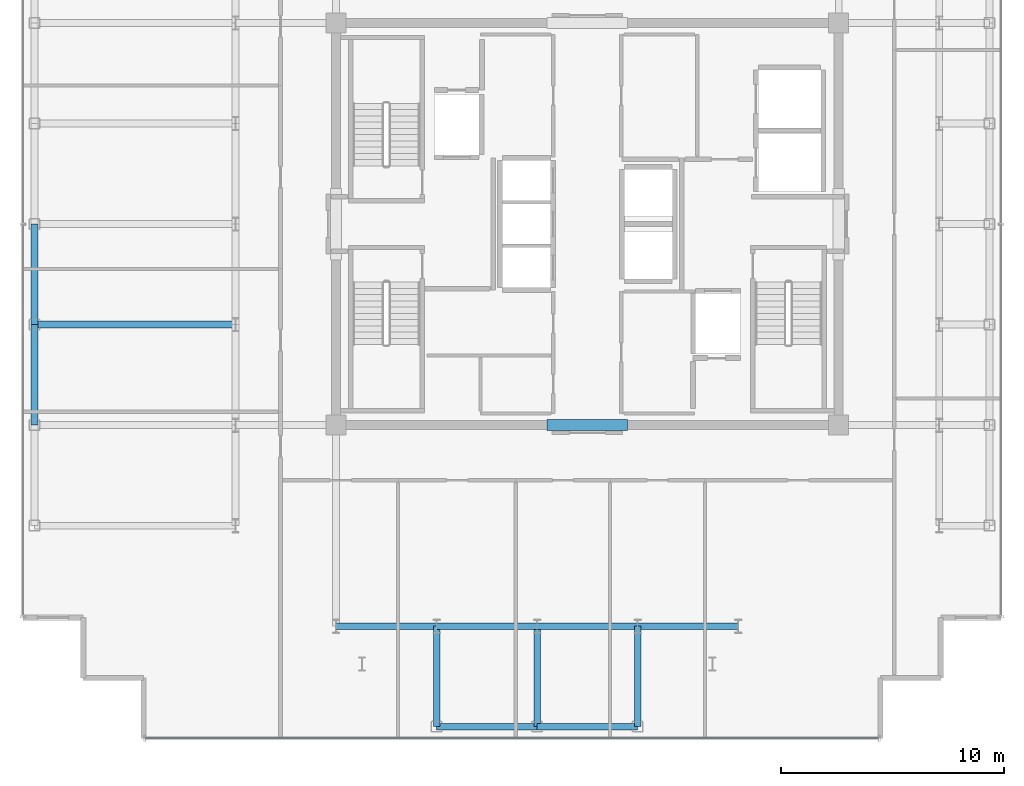
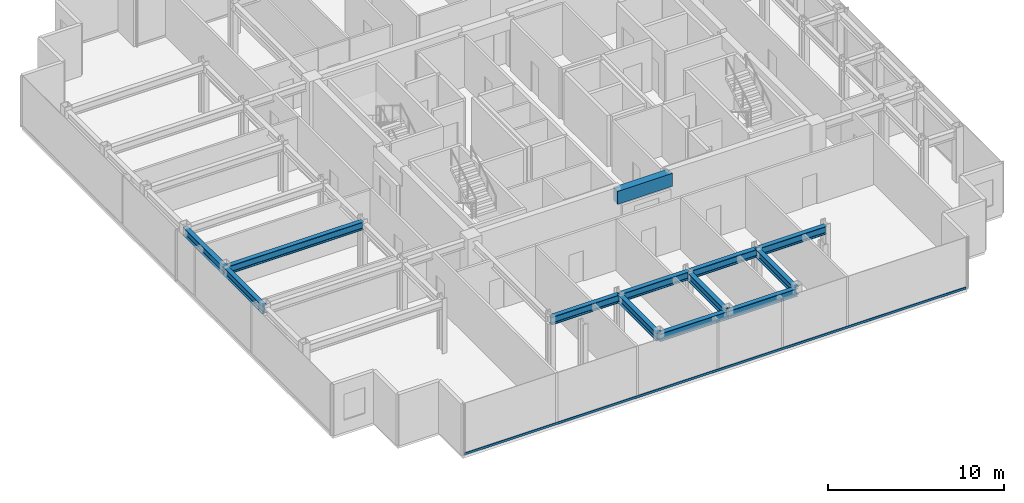
# One storey, part 3 of 18: 13 beams, 1 member, 1 element without a shape of its own.
"""IFC4 building model written with IfcOpenShell, lengths in metres."""

from ifc_helpers import new_model, si_unit, direction, frame, origin, origin_2d, place, context, subcontext, project, spatial, rectangle, hollow_rectangle, i_section, extrude, source, transform, mapped, material, layer, layer_set, material_profile, profile_set, type_object, element, aggregate, save


model = new_model("IFC4")

# Units and contexts
model_context = context("Model", 3, precision=1e-05, world=origin(), true_north=direction((0.0, 1.0)))
body_context = subcontext(model_context, "Body", "Model", "MODEL_VIEW")
ifc_project = project(units=[si_unit("LENGTHUNIT", "METRE"), si_unit("AREAUNIT", "SQUARE_METRE"), si_unit("VOLUMEUNIT", "CUBIC_METRE"), si_unit("PLANEANGLEUNIT", "RADIAN"), si_unit("MASSUNIT", "GRAM", prefix="KILO")], contexts=[model_context])

# Site, building, storey
site_placement = place(None, origin())
site = spatial("IfcSite", under=ifc_project, at=site_placement, CompositionType="ELEMENT")
building_placement = place(site_placement, origin())
building = spatial("IfcBuilding", under=site, at=building_placement, Name="Nefas-Gora Pilgrimage Tower", CompositionType="ELEMENT")
storey_placement = place(building_placement, frame((0.0, 0.0, 326.199951171875)))
storey = spatial("IfcBuildingStorey", under=building, at=storey_placement, Name="L82", CompositionType="ELEMENT", Elevation=326.199951171875)

# Beams
ifc_material_1 = material(Name="Concrete C50/60", Category="concrete")
ifc_material_profile_1 = material_profile(ifc_material_1, rectangle(XDim=0.5, YDim=0.89990234375, at=origin_2d()), Name="RC 500x900")
ifc_profile_set_1 = profile_set([ifc_material_profile_1], Name="Concrete C50/60")
beam_type_1 = type_object("IfcBeamType", Name="BM-LIN-RC900", PredefinedType="LINTEL", material=ifc_profile_set_1)
shared_shape_1 = source(origin(), body_context, "Body", "SweptSolid", [
    extrude(rectangle(XDim=0.5, YDim=0.89990234375, at=origin_2d()), origin(), (0.0, 0.0, 1.0), 3.60009765625),
])
beam_1_placement = place(storey_placement, frame((-1.800048828125, -9.0, 3.10009765625), z_axis=(1.0, 0.0, 0.0), x_axis=(0.0, 1.0, 0.0)))
element("IfcBeam", 1, at=beam_1_placement, inside=storey, type_object=beam_type_1, Name="L82 Core Coupling Lintel Beam S", PredefinedType="LINTEL", context=body_context, shape_type="MappedRepresentation", body=[
    mapped(shared_shape_1, transform((0.0, 0.0, 0.0), x_axis=(1.0, 0.0, 0.0), y_axis=(0.0, 1.0, 0.0), z_axis=(0.0, 0.0, 1.0), scale=1.0)),
])
ifc_material_2 = material(Name="Steel S355", Category="steel")
ifc_material_profile_2 = material_profile(ifc_material_2, i_section(OverallWidth=0.300048828125, OverallDepth=0.550048828125, WebThickness=0.014892578125, FlangeThickness=0.029052734375, FilletRadius=0.027099609375, at=origin_2d()), Name="HEB 550")
ifc_profile_set_2 = profile_set([ifc_material_profile_2], Name="Steel S355")
beam_type_2 = type_object("IfcBeamType", Name="BM-SPN-HEB400", PredefinedType="SPANDREL", material=ifc_profile_set_2)
shared_shape_2 = source(origin(), body_context, "Body", "SweptSolid", [
    extrude(i_section(OverallWidth=0.300048828125, OverallDepth=0.550048828125, WebThickness=0.014892578125, FlangeThickness=0.029052734375, FilletRadius=0.027099609375, at=origin_2d()), origin(), (0.0, 0.0, 1.0), 4.5),
])
for number, where, z_axis, x_axis, name in (
    (2, (-24.75, -9.0, 3.275146484375), (0.0, 1.0, 0.0), (-1.0, 0.0, 0.0), "L82 SP-04 beam"),
    (3, (-24.75, -4.5, 3.275146484375), (0.0, 1.0, 0.0), (-1.0, 0.0, 0.0), "L82 SP-04 beam"),
    (4, (-6.75, -22.5, 3.275146484375), (1.0, 0.0, 0.0), (0.0, 1.0, 0.0), "L82 SP-04 beam"),
    (5, (-2.25, -22.5, 3.275146484375), (1.0, 0.0, 0.0), (0.0, 1.0, 0.0), "L82 SP-04 beam"),
):
    element("IfcBeam", number, at=place(storey_placement, frame(where, z_axis=z_axis, x_axis=x_axis)), inside=storey, type_object=beam_type_2, Name=name, PredefinedType="SPANDREL", context=body_context, shape_type="MappedRepresentation", body=[
        mapped(shared_shape_2, transform((0.0, 0.0, 0.0), x_axis=(1.0, 0.0, 0.0), y_axis=(0.0, 1.0, 0.0), z_axis=(0.0, 0.0, 1.0), scale=1.0)),
    ])
ifc_material_profile_3 = material_profile(ifc_material_2, i_section(OverallWidth=0.300048828125, OverallDepth=0.550048828125, WebThickness=0.014892578125, FlangeThickness=0.029052734375, FilletRadius=0.027099609375, at=origin_2d()), Name="HEB 550")
ifc_profile_set_3 = profile_set([ifc_material_profile_3], Name="Steel S355")
beam_type_3 = type_object("IfcBeamType", Name="BM-GIR-HEB550", PredefinedType="BEAM", material=ifc_profile_set_3)
shared_shape_3 = source(origin(), body_context, "Body", "SweptSolid", [
    extrude(i_section(OverallWidth=0.300048828125, OverallDepth=0.550048828125, WebThickness=0.014892578125, FlangeThickness=0.029052734375, FilletRadius=0.027099609375, at=origin_2d()), origin(), (0.0, 0.0, 1.0), 9.0),
])
beam_2_placement = place(storey_placement, frame((-24.75, -4.5, 3.275146484375), z_axis=(1.0, 0.0, 0.0), x_axis=(0.0, 1.0, 0.0)))
element("IfcBeam", 6, at=beam_2_placement, inside=storey, type_object=beam_type_3, Name="L82 G-05 beam", PredefinedType="BEAM", context=body_context, shape_type="MappedRepresentation", body=[
    mapped(shared_shape_3, transform((0.0, 0.0, 0.0), x_axis=(1.0, 0.0, 0.0), y_axis=(0.0, 1.0, 0.0), z_axis=(0.0, 0.0, 1.0), scale=1.0)),
])
shared_shape_4 = source(origin(), body_context, "Body", "SweptSolid", [
    extrude(i_section(OverallWidth=0.300048828125, OverallDepth=0.550048828125, WebThickness=0.014892578125, FlangeThickness=0.029052734375, FilletRadius=0.027099609375, at=origin_2d()), origin(), (0.0, 0.0, 1.0), 4.5),
])
for number, where, z_axis, x_axis, name in (
    (7, (-11.25, -18.0, 3.275146484375), (1.0, 0.0, 0.0), (0.0, 1.0, 0.0), "L82 G-05 beam"),
    (8, (-6.75, -22.5, 3.275146484375), (0.0, 1.0, 0.0), (-1.0, 0.0, 0.0), "L82 G-05 beam"),
    (9, (-6.75, -18.0, 3.275146484375), (1.0, 0.0, 0.0), (0.0, 1.0, 0.0), "L82 G-05 beam"),
    (10, (-2.25, -22.5, 3.275146484375), (0.0, 1.0, 0.0), (-1.0, 0.0, 0.0), "L82 G-05 beam"),
    (11, (-2.25, -18.0, 3.275146484375), (1.0, 0.0, 0.0), (0.0, 1.0, 0.0), "L82 G-05 beam"),
    (12, (2.25, -22.5, 3.275146484375), (0.0, 1.0, 0.0), (-1.0, 0.0, 0.0), "L82 G-05 beam"),
    (13, (2.25, -18.0, 3.275146484375), (1.0, 0.0, 0.0), (0.0, 1.0, 0.0), "L82 G-05 beam"),
):
    element("IfcBeam", number, at=place(storey_placement, frame(where, z_axis=z_axis, x_axis=x_axis)), inside=storey, type_object=beam_type_3, Name=name, PredefinedType="BEAM", context=body_context, shape_type="MappedRepresentation", body=[
        mapped(shared_shape_4, transform((0.0, 0.0, 0.0), x_axis=(1.0, 0.0, 0.0), y_axis=(0.0, 1.0, 0.0), z_axis=(0.0, 0.0, 1.0), scale=1.0)),
    ])

# Curtain wall, member
ifc_material_3 = material(Name="Dark ceramic-fritted solar-control aluminium-glass curtain wall", Category="aluminium")
ifc_layer = layer(ifc_material_3, 0.219970703125)
ifc_layer_set = layer_set([ifc_layer], Name="Dark ceramic-fritted solar-control aluminium-glass curtain wall")
curtain_wall_type = type_object("IfcCurtainWallType", Name="CW-SYS-4", PredefinedType="NOTDEFINED", material=ifc_layer_set)
curtain_wall_placement = place(storey_placement, origin())
curtain_wall = element("IfcCurtainWall", 14, at=curtain_wall_placement, inside=storey, type_object=curtain_wall_type, Name="L82 Unitised Curtain Wall CW4", PredefinedType="NOTDEFINED")
ifc_material_4 = material(Name="Anodised architectural aluminium", Category="aluminium")
ifc_material_profile_4 = material_profile(ifc_material_4, hollow_rectangle(XDim=0.080078125, YDim=0.159912109375, WallThickness=0.00439453125, InnerFilletRadius=0.00439453125, OuterFilletRadius=0.009033203125, at=origin_2d()), Name="ALU TRANSOM 80x160")
ifc_profile_set_4 = profile_set([ifc_material_profile_4], Name="Anodised architectural aluminium")
member_type = type_object("IfcMemberType", Name="CWM-TRN-4", PredefinedType="USERDEFINED", material=ifc_profile_set_4)
shared_shape_5 = source(origin(), body_context, "Body", "SweptSolid", [
    extrude(hollow_rectangle(XDim=0.080078125, YDim=0.159912109375, WallThickness=0.00439453125, InnerFilletRadius=0.00439453125, OuterFilletRadius=0.009033203125, at=origin_2d()), origin(), (0.0, 0.0, 1.0), 32.81005859375),
])
member_placement = place(storey_placement, frame((-19.780029296875, -23.02001953125, 0.050048828125), z_axis=(1.0, 0.0, 0.0), x_axis=(0.0, 1.0, 0.0)))
member = element("IfcMember", 15, at=member_placement, type_object=member_type, Name="CW4 Spandrel Transom", ObjectType="TRANSOM", PredefinedType="USERDEFINED", context=body_context, shape_type="MappedRepresentation", body=[
    mapped(shared_shape_5, transform((0.0, 0.0, 0.0), x_axis=(1.0, 0.0, 0.0), y_axis=(0.0, 1.0, 0.0), z_axis=(0.0, 0.0, 1.0), scale=1.0)),
])
aggregate(curtain_wall, [member])

save(model, "model.ifc")
